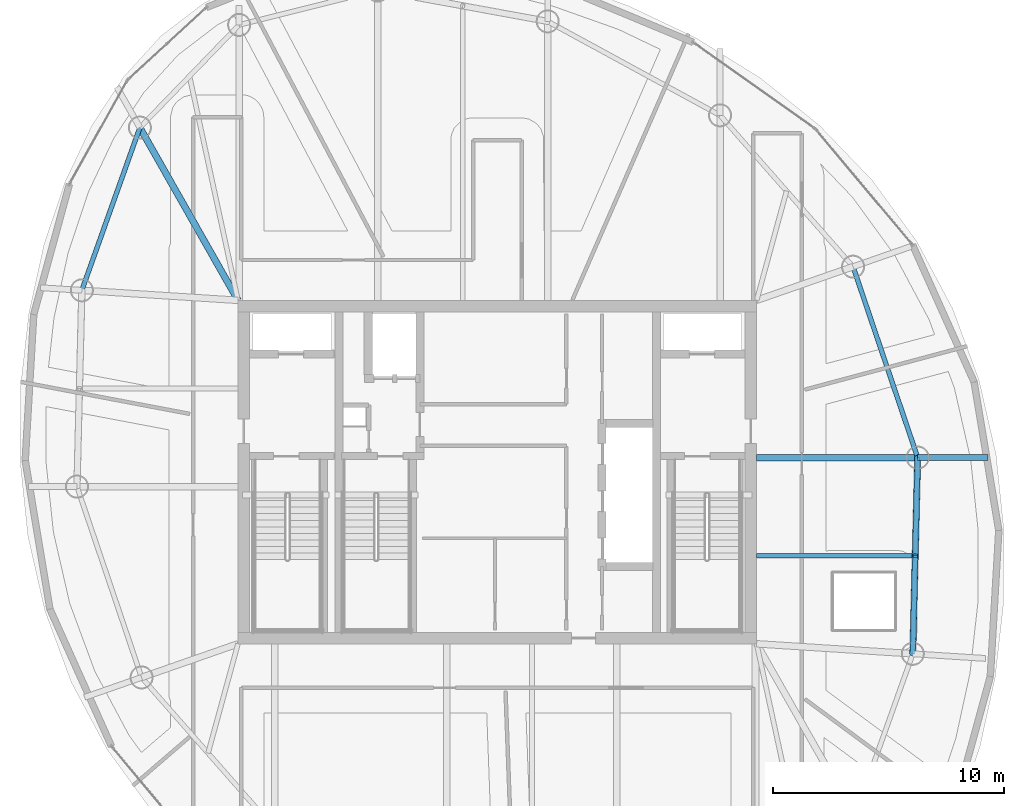
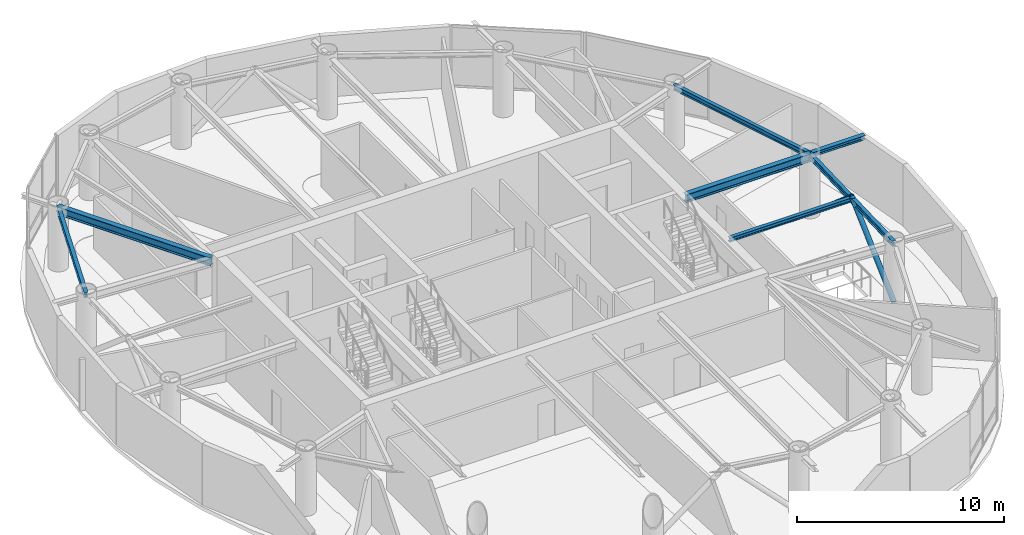
# One storey, part 6 of 17: 7 beams, 2 members.
"""IFC4 building model written with IfcOpenShell, lengths in metres."""

from ifc_helpers import new_model, si_unit, direction, frame, origin, origin_2d, place, context, subcontext, project, spatial, hollow_circle, i_section, extrude, material, material_profile, profile_set, type_object, element, save


model = new_model("IFC4")

# Units and contexts
model_context = context("Model", 3, precision=1e-05, world=origin(), true_north=direction((0.0, 1.0)))
body_context = subcontext(model_context, "Body", "Model", "MODEL_VIEW")
ifc_project = project(units=[si_unit("LENGTHUNIT", "METRE"), si_unit("AREAUNIT", "SQUARE_METRE"), si_unit("VOLUMEUNIT", "CUBIC_METRE"), si_unit("PLANEANGLEUNIT", "RADIAN"), si_unit("MASSUNIT", "GRAM", prefix="KILO")], contexts=[model_context])

# Site, building, storey
site_placement = place(None, origin())
site = spatial("IfcSite", under=ifc_project, at=site_placement, CompositionType="ELEMENT")
building_placement = place(site_placement, origin())
building = spatial("IfcBuilding", under=site, at=building_placement, Name="Bramvorn Convention Spire", CompositionType="ELEMENT")
storey_placement = place(building_placement, frame((0.0, 0.0, 265.14990234375)))
storey = spatial("IfcBuildingStorey", under=building, at=storey_placement, Name="L67", CompositionType="ELEMENT", Elevation=265.14990234375)

# Beams
ifc_material = material(Name="Steel CSA G40.21 Grade 350 (350W)", Category="steel")
ifc_material_profile_1 = material_profile(ifc_material, i_section(OverallWidth=0.201904296875, OverallDepth=0.2470703125, WebThickness=0.00732421875, FlangeThickness=0.010986328125, FilletRadius=0.011962890625, at=origin_2d()))
ifc_profile_set_1 = profile_set([ifc_material_profile_1], Name="Steel CSA G40.21 Grade 350 (350W) - W250X49")
beam_type_1 = type_object("IfcBeamType", Name="BM-W250X49", PredefinedType="JOIST", material=ifc_profile_set_1)
beam_1_placement = place(storey_placement, frame((49.25, 22.373046875, 3.501708984375), z_axis=(1.0, 0.0, 0.0), x_axis=(0.0, 1.0, 0.0)))
element("IfcBeam", 1, at=beam_1_placement, inside=storey, type_object=beam_type_1, Name="L67 composite floor joist 03", PredefinedType="JOIST", context=body_context, shape_type="SweptSolid", body=[
    extrude(i_section(OverallWidth=0.201904296875, OverallDepth=0.2470703125, WebThickness=0.00732421875, FlangeThickness=0.010986328125, FilletRadius=0.011962890625, at=origin_2d()), origin(), (0.0, 0.0, 1.0), 6.879150390625),
])
ifc_material_profile_2 = material_profile(ifc_material, i_section(OverallWidth=0.25390625, OverallDepth=0.2529296875, WebThickness=0.008544921875, FlangeThickness=0.01416015625, FilletRadius=0.011962890625, at=origin_2d()))
ifc_profile_set_2 = profile_set([ifc_material_profile_2], Name="Steel CSA G40.21 Grade 350 (350W) - W250X73")
beam_type_2 = type_object("IfcBeamType", Name="BM-W250X73", PredefinedType="BEAM", material=ifc_profile_set_2)
beam_2_placement = place(storey_placement, frame((56.234619140625, 26.62939453125, 3.49853515625), z_axis=(1.0, 0.0, 0.0), x_axis=(0.0, 1.0, 0.0)))
element("IfcBeam", 2, at=beam_2_placement, inside=storey, type_object=beam_type_2, Name="L67 slab-edge cantilever tip beam MC04", PredefinedType="BEAM", context=body_context, shape_type="SweptSolid", body=[
    extrude(i_section(OverallWidth=0.25390625, OverallDepth=0.2529296875, WebThickness=0.008544921875, FlangeThickness=0.01416015625, FilletRadius=0.011962890625, at=origin_2d()), origin(), (0.0, 0.0, 1.0), 3.052978515625),
])
ifc_material_profile_3 = material_profile(ifc_material, i_section(OverallWidth=0.202880859375, OverallDepth=0.302978515625, WebThickness=0.007568359375, FlangeThickness=0.01318359375, FilletRadius=0.013916015625, at=origin_2d()))
ifc_profile_set_3 = profile_set([ifc_material_profile_3], Name="Steel CSA G40.21 Grade 350 (350W) - W310X60")
beam_type_3 = type_object("IfcBeamType", Name="BM-W310X60", PredefinedType="JOIST", material=ifc_profile_set_3)
beam_3_placement = place(storey_placement, frame((56.023681640625, 18.116455078125, 3.4736328125), z_axis=(0.024770853371, 0.999693155335, 0.0), x_axis=(-0.999693155335, 0.024770853371, 0.0)))
element("IfcBeam", 3, at=beam_3_placement, inside=storey, type_object=beam_type_3, Name="L67 mega-column ring beam 03", PredefinedType="JOIST", context=body_context, shape_type="SweptSolid", body=[
    extrude(i_section(OverallWidth=0.202880859375, OverallDepth=0.302978515625, WebThickness=0.007568359375, FlangeThickness=0.01318359375, FilletRadius=0.013916015625, at=origin_2d()), origin(), (0.0, 0.0, 1.0), 8.515625),
])
beam_4_placement = place(storey_placement, frame((56.234619140625, 26.62939453125, 3.4736328125), z_axis=(-0.320531023763, 0.947238018032, 0.0), x_axis=(-0.947238018032, -0.320531023763, 0.0)))
element("IfcBeam", 4, at=beam_4_placement, inside=storey, type_object=beam_type_3, Name="L67 mega-column ring beam 04", PredefinedType="JOIST", context=body_context, shape_type="SweptSolid", body=[
    extrude(i_section(OverallWidth=0.202880859375, OverallDepth=0.302978515625, WebThickness=0.007568359375, FlangeThickness=0.01318359375, FilletRadius=0.013916015625, at=origin_2d()), origin(), (0.0, 0.0, 1.0), 8.74169921875),
])
beam_5_placement = place(storey_placement, frame((22.49365234375, 40.94384765625, 3.4736328125), z_axis=(-0.335839090413, -0.941919373063, 0.0), x_axis=(0.941919373063, -0.335839090413, 0.0)))
element("IfcBeam", 5, at=beam_5_placement, inside=storey, type_object=beam_type_3, Name="L67 mega-column ring beam 10", PredefinedType="JOIST", context=body_context, shape_type="SweptSolid", body=[
    extrude(i_section(OverallWidth=0.202880859375, OverallDepth=0.302978515625, WebThickness=0.007568359375, FlangeThickness=0.01318359375, FilletRadius=0.013916015625, at=origin_2d()), origin(), (0.0, 0.0, 1.0), 7.49560546875),
])
ifc_material_profile_4 = material_profile(ifc_material, i_section(OverallWidth=0.283935546875, OverallDepth=0.47607421875, WebThickness=0.014892578125, FlangeThickness=0.02392578125, FilletRadius=0.01806640625, at=origin_2d()))
ifc_profile_set_4 = profile_set([ifc_material_profile_4], Name="Steel CSA G40.21 Grade 350 (350W) - W460X158")
beam_type_4 = type_object("IfcBeamType", Name="BM-W460X158", PredefinedType="SPANDREL", material=ifc_profile_set_4)
beam_6_placement = place(storey_placement, frame((49.25, 26.62939453125, 3.38720703125), z_axis=(1.0, 0.0, 0.0), x_axis=(0.0, 1.0, 0.0)))
element("IfcBeam", 6, at=beam_6_placement, inside=storey, type_object=beam_type_4, Name="L67 radial floor girder MC04", PredefinedType="SPANDREL", context=body_context, shape_type="SweptSolid", body=[
    extrude(i_section(OverallWidth=0.283935546875, OverallDepth=0.47607421875, WebThickness=0.014892578125, FlangeThickness=0.02392578125, FilletRadius=0.01806640625, at=origin_2d()), origin(), (0.0, 0.0, 1.0), 6.984619140625),
])
beam_7_placement = place(storey_placement, frame((26.75, 33.449951171875, 3.38720703125), z_axis=(-0.493873612118, 0.869533699895, 0.0), x_axis=(-0.869533699895, -0.493873612118, 0.0)))
element("IfcBeam", 7, at=beam_7_placement, inside=storey, type_object=beam_type_4, Name="L67 radial floor girder MC10", PredefinedType="SPANDREL", context=body_context, shape_type="SweptSolid", body=[
    extrude(i_section(OverallWidth=0.283935546875, OverallDepth=0.47607421875, WebThickness=0.014892578125, FlangeThickness=0.02392578125, FilletRadius=0.01806640625, at=origin_2d()), origin(), (0.0, 0.0, 1.0), 8.618408203125),
])

# Members
ifc_material_profile_5 = material_profile(ifc_material, hollow_circle(Radius=0.136474609375, WallThickness=0.0126953125, at=origin_2d()))
ifc_profile_set_5 = profile_set([ifc_material_profile_5], Name="Steel CSA G40.21 Grade 350 (350W) - CHS273X13")
member_type = type_object("IfcMemberType", Name="MBR-CHS273X13", PredefinedType="BRACE", material=ifc_profile_set_5)
member_1_placement = place(storey_placement, frame((56.023681640625, 18.116455078125, 0.0), z_axis=(0.01886069185, 0.761194820373, 0.648248964319), x_axis=(-0.999693172926, 0.02477014343, 0.0)))
element("IfcMember", 8, at=member_1_placement, inside=storey, type_object=member_type, Name="L67 perimeter Gothic lancet brace 3A", PredefinedType="BRACE", context=body_context, shape_type="SweptSolid", body=[
    extrude(hollow_circle(Radius=0.136474609375, WallThickness=0.0126953125, at=origin_2d()), origin(), (0.0, 0.0, 1.0), 5.592041015625),
])
member_2_placement = place(storey_placement, frame((56.234619140625, 26.62939453125, 0.0), z_axis=(-0.018861318661, -0.761176457245, 0.64827050804), x_axis=(0.999693137742, -0.024771563353, 0.0)))
element("IfcMember", 9, at=member_2_placement, inside=storey, type_object=member_type, Name="L67 perimeter Gothic lancet brace 3B", PredefinedType="BRACE", context=body_context, shape_type="SweptSolid", body=[
    extrude(hollow_circle(Radius=0.136474609375, WallThickness=0.0126953125, at=origin_2d()), origin(), (0.0, 0.0, 1.0), 5.591796875),
])

save(model, "model.ifc")
